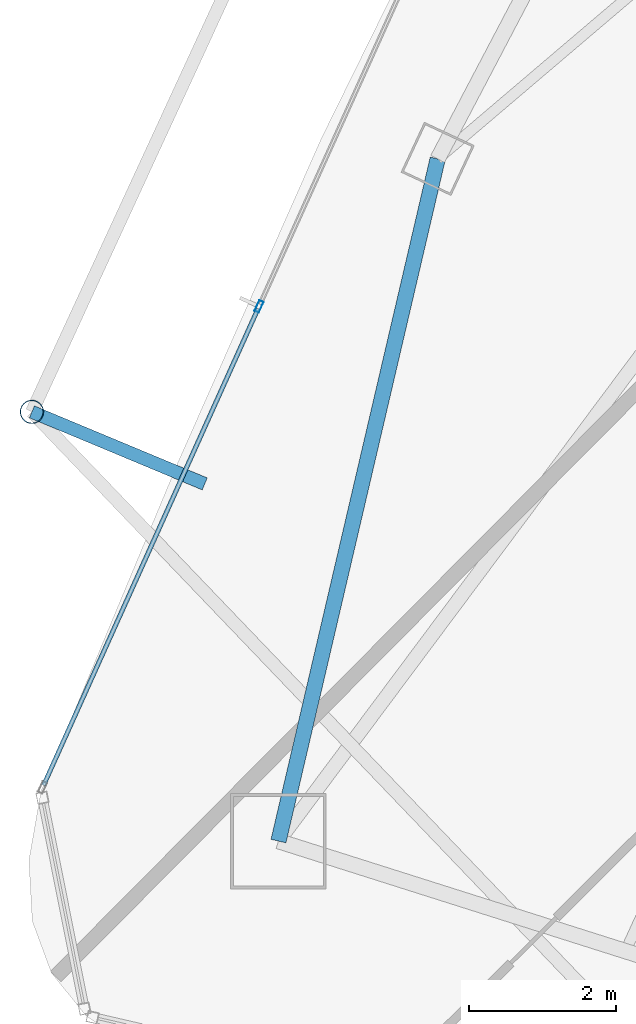
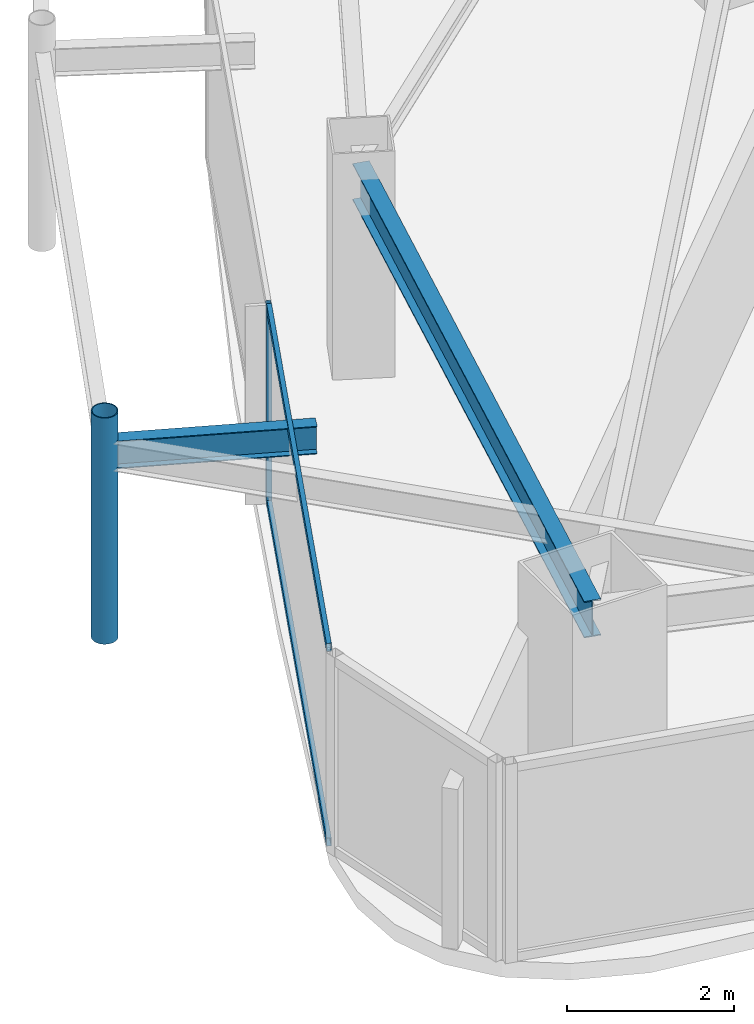
# One storey, part 5 of 29: 4 members, 2 beams, 1 element without a shape of its own.
"""IFC4 building model written with IfcOpenShell, lengths in metres."""

from ifc_helpers import new_model, si_unit, direction, frame, origin, origin_2d, place, context, subcontext, project, spatial, hollow_rectangle, hollow_circle, i_section, extrude, material, layer, layer_set, material_profile, profile_set, type_object, element, aggregate, save


model = new_model("IFC4")

# Units and contexts
model_context = context("Model", 3, precision=1e-05, world=origin(), true_north=direction((0.0, 1.0)))
body_context = subcontext(model_context, "Body", "Model", "MODEL_VIEW")
ifc_project = project(units=[si_unit("LENGTHUNIT", "METRE"), si_unit("AREAUNIT", "SQUARE_METRE"), si_unit("VOLUMEUNIT", "CUBIC_METRE"), si_unit("PLANEANGLEUNIT", "RADIAN"), si_unit("MASSUNIT", "GRAM", prefix="KILO")], contexts=[model_context])

# Site, building, storey
site_placement = place(None, origin())
site = spatial("IfcSite", under=ifc_project, at=site_placement, CompositionType="ELEMENT")
building_placement = place(site_placement, origin())
building = spatial("IfcBuilding", under=site, at=building_placement, Name="Orvanel Arch Residences", CompositionType="ELEMENT")
storey_placement = place(building_placement, frame((0.0, 0.0, 253.550048828125)))
storey = spatial("IfcBuildingStorey", under=building, at=storey_placement, Name="L72", CompositionType="ELEMENT", Elevation=253.550048828125)

# Curtain wall, member
ifc_material_1 = material(Name="Bronze-anodised aluminium AA6063-T6", Category="aluminium")
ifc_layer = layer(ifc_material_1, 0.175048828125)
ifc_layer_set = layer_set([ifc_layer], Name="Bronze-anodised aluminium AA6063-T6")
curtain_wall_type = type_object("IfcCurtainWallType", Name="CW4-HI-SYS", PredefinedType="NOTDEFINED", material=ifc_layer_set)
curtain_wall_placement = place(storey_placement, origin())
curtain_wall = element("IfcCurtainWall", 1, at=curtain_wall_placement, inside=storey, type_object=curtain_wall_type, Name="L72 CW4-HI-SYS Unitised Curtain Wall", PredefinedType="NOTDEFINED")
ifc_material_profile_1 = material_profile(ifc_material_1, hollow_rectangle(XDim=0.06494140625, YDim=0.159912109375, WallThickness=0.00390625, at=origin_2d()), Name="ALU160x65x4")
ifc_profile_set_1 = profile_set([ifc_material_profile_1], Name="Bronze-anodised aluminium AA6063-T6")
member_type_1 = type_object("IfcMemberType", Name="MUL-160x65", PredefinedType="MULLION", material=ifc_profile_set_1)
member_1_placement = place(storey_placement, frame((13.9345703125, 17.632568359375, 0.0), z_axis=(0.0, 0.0, 1.0), x_axis=(0.911907243559, -0.410396368338, 0.0)))
member_1 = element("IfcMember", 2, at=member_1_placement, type_object=member_type_1, Name="CW-S4 mullion 2", PredefinedType="MULLION", context=body_context, shape_type="SweptSolid", body=[
    extrude(hollow_rectangle(XDim=0.06494140625, YDim=0.159912109375, WallThickness=0.00390625, at=origin_2d()), origin(), (0.0, 0.0, 1.0), 2.89990234375),
])

# Beams
ifc_material_2 = material(Name="Structural steel AS/NZS 3679.1 Grade 300 (300 MPa)", Category="steel")
ifc_material_profile_2 = material_profile(ifc_material_2, i_section(OverallWidth=0.177978515625, OverallDepth=0.406005859375, WebThickness=0.0078125, FlangeThickness=0.0126953125, at=origin_2d()), Name="410UB59.7")
ifc_profile_set_2 = profile_set([ifc_material_profile_2], Name="Structural steel AS/NZS 3679.1 Grade 300 (300 MPa)")
beam_type_1 = type_object("IfcBeamType", Name="OB-410UB-EXT", PredefinedType="SPANDREL", material=ifc_profile_set_2)
beam_1_placement = place(storey_placement, frame((13.195068359375, 15.216064453125, 2.697021484375), z_axis=(-0.923059928109, 0.38465617, 0.0), x_axis=(-0.38465617, -0.923059928109, 0.0)))
element("IfcBeam", 3, at=beam_1_placement, inside=storey, type_object=beam_type_1, Name="L72 Outer Frame Radial Tie Beam 04", PredefinedType="SPANDREL", context=body_context, shape_type="SweptSolid", body=[
    extrude(i_section(OverallWidth=0.177978515625, OverallDepth=0.406005859375, WebThickness=0.0078125, FlangeThickness=0.0126953125, at=origin_2d()), origin(), (0.0, 0.0, 1.0), 2.55029296875),
])
ifc_material_profile_3 = material_profile(ifc_material_2, i_section(OverallWidth=0.208984375, OverallDepth=0.532958984375, WebThickness=0.01025390625, FlangeThickness=0.015625, at=origin_2d()), Name="530UB92.4")
ifc_profile_set_3 = profile_set([ifc_material_profile_3], Name="Structural steel AS/NZS 3679.1 Grade 300 (300 MPa)")
beam_type_2 = type_object("IfcBeamType", Name="SP-530UB", PredefinedType="SPANDREL", material=ifc_profile_set_3)
beam_2_placement = place(storey_placement, frame((16.366943359375, 19.64208984375, 2.633056640625), z_axis=(-0.227236087167, -0.973839699688, 0.0), x_axis=(0.973839699688, -0.227236087167, 0.0)))
element("IfcBeam", 4, at=beam_2_placement, inside=storey, type_object=beam_type_2, Name="L72 Perimeter Spandrel Beam 01", PredefinedType="SPANDREL", context=body_context, shape_type="SweptSolid", body=[
    extrude(i_section(OverallWidth=0.208984375, OverallDepth=0.532958984375, WebThickness=0.01025390625, FlangeThickness=0.015625, at=origin_2d()), origin(), (0.0, 0.0, 1.0), 9.54052734375),
])

# Member
ifc_material_3 = material(Name="Structural steel AS/NZS 1163 C350L0 (Grade 350)", Category="steel")
ifc_material_profile_4 = material_profile(ifc_material_3, hollow_circle(Radius=0.162109375, WallThickness=0.0126953125, at=origin_2d()), Name="CHS324x12.7")
ifc_profile_set_4 = profile_set([ifc_material_profile_4], Name="Structural steel AS/NZS 1163 C350L0 (Grade 350)")
member_type_2 = type_object("IfcMemberType", Name="ST-324CHS-EXT", PredefinedType="STRUT", material=ifc_profile_set_4)
member_2_placement = place(storey_placement, frame((10.841064453125, 16.197021484375, 0.0), z_axis=(0.0, 0.0, 1.0), x_axis=(1.0, 0.0, 0.0)))
element("IfcMember", 5, at=member_2_placement, inside=storey, type_object=member_type_2, Name="L72 Outer Perimeter Frame Post 04", PredefinedType="STRUT", context=body_context, shape_type="SweptSolid", body=[
    extrude(hollow_circle(Radius=0.162109375, WallThickness=0.0126953125, at=origin_2d()), origin(), (0.0, 0.0, 1.0), 3.300048828125),
])

ifc_material_profile_5 = material_profile(ifc_material_1, hollow_rectangle(XDim=0.06005859375, YDim=0.1201171875, WallThickness=0.00341796875, at=origin_2d()), Name="ALU120x60x3.5")
ifc_profile_set_5 = profile_set([ifc_material_profile_5], Name="Bronze-anodised aluminium AA6063-T6")
member_type_3 = type_object("IfcMemberType", Name="TRN-120x60", PredefinedType="USERDEFINED", material=ifc_profile_set_5)
member_3_placement = place(storey_placement, frame((13.921142578125, 17.602783203125, 0.030029296875), z_axis=(-0.410391772086, -0.91190931205, 0.0), x_axis=(0.91190931205, -0.410391772086, 0.0)))
member_3 = element("IfcMember", 6, at=member_3_placement, type_object=member_type_3, Name="CW-S4 transom 2.1", ObjectType="TRANSOM", PredefinedType="USERDEFINED", context=body_context, shape_type="SweptSolid", body=[
    extrude(hollow_rectangle(XDim=0.06005859375, YDim=0.1201171875, WallThickness=0.00341796875, at=origin_2d()), origin(), (0.0, 0.0, 1.0), 7.11865234375),
])

member_4_placement = place(storey_placement, frame((13.921142578125, 17.602783203125, 2.869873046875), z_axis=(-0.410391772086, -0.91190931205, 0.0), x_axis=(0.91190931205, -0.410391772086, 0.0)))
member_4 = element("IfcMember", 7, at=member_4_placement, type_object=member_type_3, Name="CW-S4 transom 2.2", ObjectType="TRANSOM", PredefinedType="USERDEFINED", context=body_context, shape_type="SweptSolid", body=[
    extrude(hollow_rectangle(XDim=0.06005859375, YDim=0.1201171875, WallThickness=0.00341796875, at=origin_2d()), origin(), (0.0, 0.0, 1.0), 7.11865234375),
])

aggregate(curtain_wall, [member_1, member_3, member_4])

save(model, "model.ifc")
